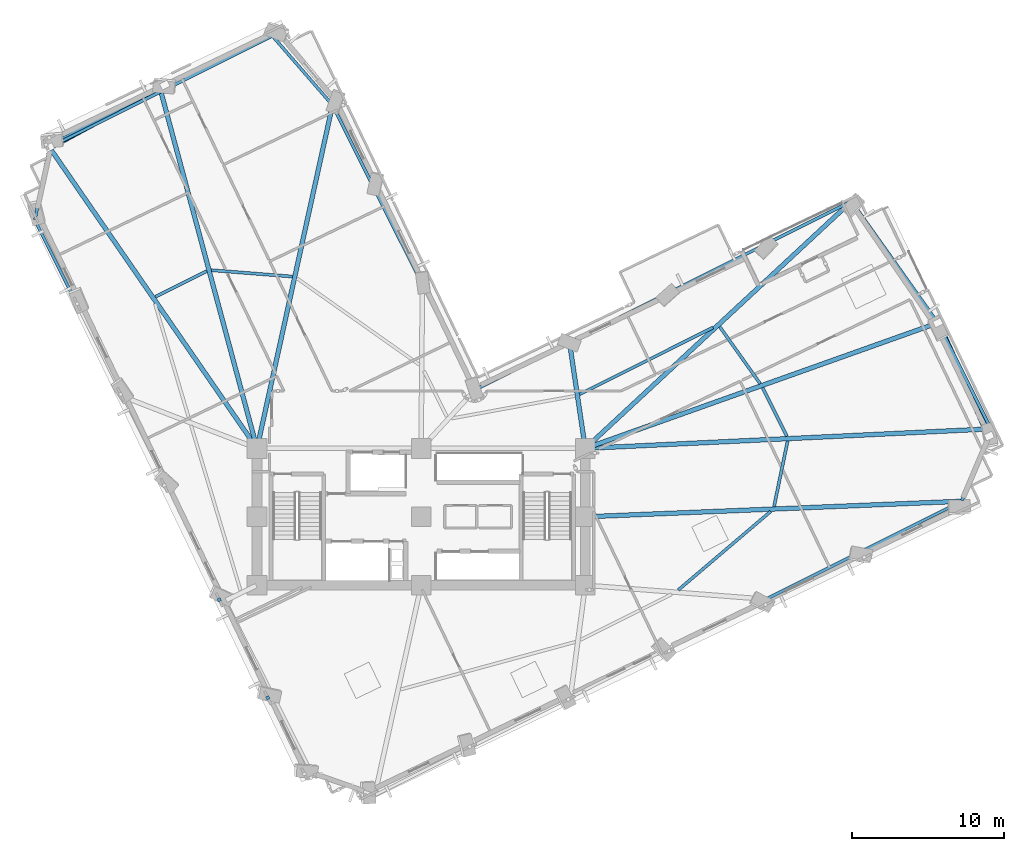
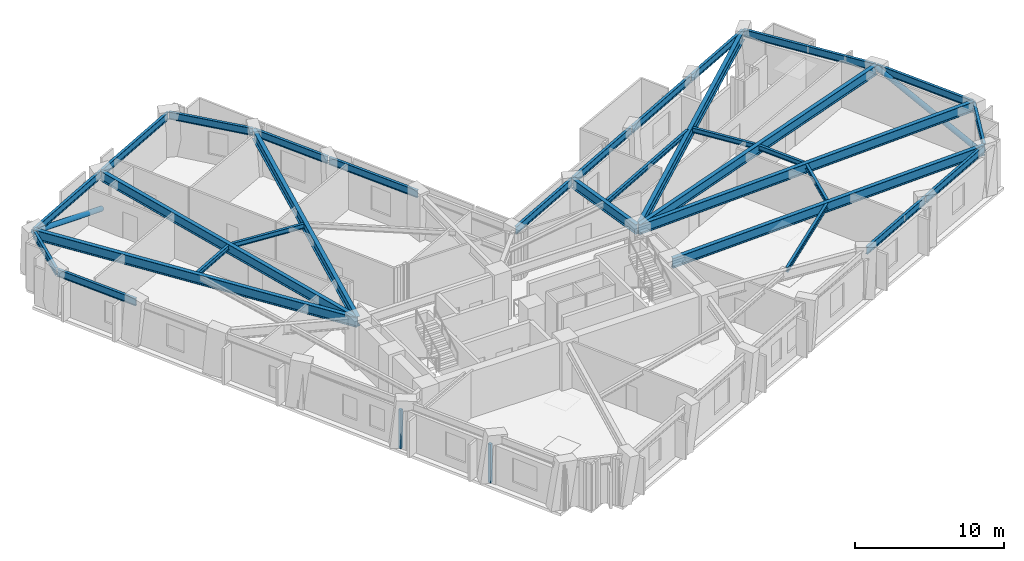
# One storey, part 2 of 16: 31 beams, 2 members, 2 plates.
"""IFC4 building model written with IfcOpenShell, lengths in metres."""

import ifcopenshell
import ifcopenshell.guid

model = None  # the IFC model being written
_history = None  # IfcOwnerHistory: only IFC2X3 demands one
_inside = {}  # id of a spatial element -> (the spatial element, [elements in it])
_under = {}  # id of a project, library or spatial element -> (it, [spatial elements below it])
_declared = {}  # id of a project -> (the project, [libraries it declares])
_typed = {}  # id of a type object -> (the type object, [elements of that type])
_made_of = {}  # id of a material, layer set ... -> (it, [elements and type objects made of it])


def new_model(schema):
    """Start an empty IFC model of exactly this schema.

    Asked for "IFC4X3", IfcOpenShell would pick the latest addendum, in which some entities
    have other attributes; the version numbers below select the first issue.
    IFC2X3 requires an IfcOwnerHistory on every rooted entity: one is made here for all.
    """
    global model, _history
    if schema == "IFC4X3":
        model = ifcopenshell.file(schema_version=(4, 3, 0, 0))
    else:
        model = ifcopenshell.file(schema=schema)
    _inside.clear()
    _under.clear()
    _declared.clear()
    _typed.clear()
    _made_of.clear()
    _history = None
    if model.schema == "IFC2X3":
        org = make("IfcOrganization", Name="unknown")
        user = make(
            "IfcPersonAndOrganization",
            ThePerson=make("IfcPerson", FamilyName="unknown"),
            TheOrganization=org,
        )
        app = make(
            "IfcApplication",
            ApplicationDeveloper=org,
            Version="unknown",
            ApplicationFullName="unknown",
            ApplicationIdentifier="unknown",
        )
        _history = make(
            "IfcOwnerHistory",
            OwningUser=user,
            OwningApplication=app,
            ChangeAction="ADDED",
            CreationDate=0,
        )
    return model


def make(cls, **values):
    """One entity of the class cls with the attributes given. An attribute that is None is left unset."""
    return model.create_entity(
        cls, **{name: value for name, value in values.items() if value is not None}
    )


def rooted(cls, **values):
    """An entity with a GlobalId (a new one), such as an element, a storey or a relation."""
    return make(cls, GlobalId=ifcopenshell.guid.new(), OwnerHistory=_history, **values)


def si_unit(unit_type, name, prefix=None):
    """IfcSIUnit, for example si_unit("LENGTHUNIT", "METRE", prefix="MILLI")."""
    return make("IfcSIUnit", UnitType=unit_type, Prefix=prefix, Name=name)


def assignment(units):
    """IfcUnitAssignment: the units of a project."""
    return None if units is None else make("IfcUnitAssignment", Units=units)


def point(xyz):
    """IfcCartesianPoint."""
    return None if xyz is None else make("IfcCartesianPoint", Coordinates=xyz)


def direction(xyz):
    """IfcDirection."""
    return None if xyz is None else make("IfcDirection", DirectionRatios=xyz)


def frame(location, z_axis=None, x_axis=None):
    """IfcAxis2Placement3D, a coordinate frame: its origin and axes. An axis left out is left unset."""
    return make(
        "IfcAxis2Placement3D",
        Location=point(location),
        Axis=direction(z_axis),
        RefDirection=direction(x_axis),
    )


def frame_2d(location, x_axis=None):
    """IfcAxis2Placement2D, a coordinate frame in the plane: its origin and x axis."""
    return make(
        "IfcAxis2Placement2D", Location=point(location), RefDirection=direction(x_axis)
    )


def origin():
    """The frame at (0, 0, 0) with its axes left unset."""
    return frame((0.0, 0.0, 0.0))


def origin_2d():
    """The frame at (0, 0) in the plane with its x axis left unset."""
    return frame_2d((0.0, 0.0))


def place(relative_to, where):
    """IfcLocalPlacement: puts the frame where relative to a parent placement (None: the world)."""
    return make(
        "IfcLocalPlacement", PlacementRelTo=relative_to, RelativePlacement=where
    )


def context(
    kind, dimensions, precision=None, world=None, true_north=None, identifier=None
):
    """IfcGeometricRepresentationContext, for example the 3D "Model" context."""
    return make(
        "IfcGeometricRepresentationContext",
        ContextIdentifier=identifier,
        ContextType=kind,
        CoordinateSpaceDimension=dimensions,
        Precision=precision,
        WorldCoordinateSystem=world,
        TrueNorth=true_north,
    )


def subcontext(parent, identifier, kind, view, scale=None):
    """IfcGeometricRepresentationSubContext, for example "Body" below "Model"."""
    return make(
        "IfcGeometricRepresentationSubContext",
        ContextIdentifier=identifier,
        ContextType=kind,
        ParentContext=parent,
        TargetScale=scale,
        TargetView=view,
    )


def project(units=None, contexts=None):
    """IfcProject with its units and contexts."""
    return rooted(
        "IfcProject",
        Name="project",
        RepresentationContexts=contexts,
        UnitsInContext=assignment(units),
    )


def spatial(cls, under=None, at=None, **own):
    """A site, building, storey or space (cls), placed at a placement, below another one or the project."""
    s = rooted(cls, ObjectPlacement=at, **own)
    if under is not None:
        _under.setdefault(under.id(), (under, []))[1].append(s)
    return s


def profile(cls, at=None, kind="AREA", **sizes):
    """A parametric profile (cls). Its sizes go by their IFC names, for example OverallWidth=200.0."""
    return make(cls, ProfileType=kind, Position=at, **sizes)


def rectangle(**sizes):
    """IfcRectangleProfileDef."""
    return profile("IfcRectangleProfileDef", **sizes)


def hollow_circle(**sizes):
    """IfcCircleHollowProfileDef."""
    return profile("IfcCircleHollowProfileDef", **sizes)


def i_section(**sizes):
    """IfcIShapeProfileDef."""
    return profile("IfcIShapeProfileDef", **sizes)


def extrude(swept, where, along, depth):
    """IfcExtrudedAreaSolid: the profile swept, set in the frame where, extruded along a direction by depth."""
    return make(
        "IfcExtrudedAreaSolid",
        SweptArea=swept,
        Position=where,
        ExtrudedDirection=direction(along),
        Depth=depth,
    )


def shape(context_of_items, identifier, shape_type, items):
    """IfcShapeRepresentation: the items that make up one representation, for example the "Body"."""
    return make(
        "IfcShapeRepresentation",
        ContextOfItems=context_of_items,
        RepresentationIdentifier=identifier,
        RepresentationType=shape_type,
        Items=items,
    )


def material(Name=None, Category=None):
    """IfcMaterial."""
    return make("IfcMaterial", Name=Name, Category=Category)


def layer(
    of_material, thickness, ventilated=None, Name=None, Category=None, Priority=None
):
    """IfcMaterialLayer: one layer of a wall or slab, of a material (None: an air gap)."""
    return make(
        "IfcMaterialLayer",
        Material=of_material,
        LayerThickness=thickness,
        IsVentilated=ventilated,
        Name=Name,
        Category=Category,
        Priority=Priority,
    )


def layer_set(layers, Name=None):
    """IfcMaterialLayerSet."""
    return make("IfcMaterialLayerSet", MaterialLayers=layers, LayerSetName=Name)


def material_profile(
    of_material, cross_section, Name=None, Category=None, Priority=None
):
    """IfcMaterialProfile: a cross section and its material."""
    return make(
        "IfcMaterialProfile",
        Name=Name,
        Material=of_material,
        Profile=cross_section,
        Priority=Priority,
        Category=Category,
    )


def profile_set(profiles, Name=None, composite=None):
    """IfcMaterialProfileSet."""
    return make(
        "IfcMaterialProfileSet",
        Name=Name,
        MaterialProfiles=profiles,
        CompositeProfile=composite,
    )


def made_of(thing, what):
    """Note that an element or type object is made of a material, layer set ...; save() writes the relation."""
    if what is not None:
        _made_of.setdefault(what.id(), (what, []))[1].append(thing)
    return thing


def type_object(cls, material=None, **own):
    """A type object (cls), such as IfcWallType, which elements share."""
    return made_of(rooted(cls, **own), material)


def element(
    cls,
    number,
    at=None,
    inside=None,
    cuts=None,
    type_object=None,
    material=None,
    context=None,
    identifier="Body",
    shape_type=None,
    held_by="IfcProductDefinitionShape",
    body=None,
    shapes=None,
    **own,
):
    """One element of the class cls, such as IfcWall. Its Tag is "e" and its number.

    at: its placement. inside: the storey or other place that contains it. cuts: it is an
    opening in that element (IfcRelVoidsElement). A single representation is given by context,
    identifier, shape_type and body (its items); several are given by shapes. held_by: the class
    of the entity that holds the representations. save() writes the other relations.
    """
    e = rooted(cls, Tag="e%d" % number, ObjectPlacement=at, **own)
    if body is not None:
        shapes = [shape(context, identifier, shape_type, body)]
    if shapes is not None:
        e.Representation = make(held_by, Representations=shapes)
    if inside is not None:
        _inside.setdefault(inside.id(), (inside, []))[1].append(e)
    if cuts is not None:
        rooted(
            "IfcRelVoidsElement", RelatingBuildingElement=cuts, RelatedOpeningElement=e
        )
    if type_object is not None:
        _typed.setdefault(type_object.id(), (type_object, []))[1].append(e)
    return made_of(e, material)


def aggregate(whole, parts):
    """IfcRelAggregates: a whole, such as a stair, and the parts it consists of."""
    return rooted("IfcRelAggregates", RelatingObject=whole, RelatedObjects=parts)


def save(model, path):
    """Write the relations noted so far, then the file.

    IfcRelAggregates (storeys below a building ...), IfcRelContainedInSpatialStructure (elements
    in a storey), IfcRelDefinesByType, IfcRelAssociatesMaterial and IfcRelDeclares: one each for
    every whole, place, type object, material and project.
    """
    for whole, parts in _under.values():
        aggregate(whole, parts)
    for where, things in _inside.values():
        rooted(
            "IfcRelContainedInSpatialStructure",
            RelatedElements=things,
            RelatingStructure=where,
        )
    for kind, things in _typed.values():
        rooted("IfcRelDefinesByType", RelatedObjects=things, RelatingType=kind)
    for what, things in _made_of.values():
        rooted("IfcRelAssociatesMaterial", RelatedObjects=things, RelatingMaterial=what)
    for by, libraries in _declared.values():
        rooted("IfcRelDeclares", RelatingContext=by, RelatedDefinitions=libraries)
    model.write(path)


model = new_model("IFC4")

# Units and contexts
model_context = context("Model", 3, precision=1e-05, world=origin(), true_north=direction((0.0, 1.0)))
body_context = subcontext(model_context, "Body", "Model", "MODEL_VIEW")
ifc_project = project(units=[si_unit("LENGTHUNIT", "METRE"), si_unit("AREAUNIT", "SQUARE_METRE"), si_unit("VOLUMEUNIT", "CUBIC_METRE"), si_unit("PLANEANGLEUNIT", "RADIAN"), si_unit("MASSUNIT", "GRAM", prefix="KILO")], contexts=[model_context])

# Site, building, storey
site_placement = place(None, origin())
site = spatial("IfcSite", under=ifc_project, at=site_placement, CompositionType="ELEMENT")
building_placement = place(site_placement, origin())
building = spatial("IfcBuilding", under=site, at=building_placement, Name="Gaonmaruhae Medical Tower", CompositionType="ELEMENT")
storey_placement = place(building_placement, frame((0.0, 0.0, 132.39990234375)))
storey = spatial("IfcBuildingStorey", under=building, at=storey_placement, Name="L31", CompositionType="ELEMENT", Elevation=132.39990234375)

# Beams
ifc_material_1 = material(Name="Steel SM355", Category="steel")
ifc_material_profile_1 = material_profile(ifc_material_1, i_section(OverallWidth=0.199951171875, OverallDepth=0.39990234375, WebThickness=0.008056640625, FlangeThickness=0.012939453125, FilletRadius=0.012939453125, at=origin_2d()), Name="H-400x200x8x13")
ifc_profile_set_1 = profile_set([ifc_material_profile_1], Name="Steel SM355")
beam_type_1 = type_object("IfcBeamType", Name="FJ-01 Lower Zone Ward Floor Joist (H-400x200x8x13)", PredefinedType="JOIST", material=ifc_profile_set_1)
beam_1_placement = place(storey_placement, frame((41.715087890625, 7.479248046875, 3.580078125), z_axis=(0.761830636508, 0.647776258656, 0.0), x_axis=(-0.647776258656, 0.761830636508, 0.0)))
element("IfcBeam", 1, at=beam_1_placement, inside=storey, type_object=beam_type_1, Name="L31 Secondary Floor Joist FJ03", PredefinedType="JOIST", context=body_context, shape_type="SweptSolid", body=[
    extrude(i_section(OverallWidth=0.199951171875, OverallDepth=0.39990234375, WebThickness=0.008056640625, FlangeThickness=0.012939453125, FilletRadius=0.012939453125, at=origin_2d()), origin(), (0.0, 0.0, 1.0), 7.982177734375),
])
beam_2_placement = place(storey_placement, frame((48.01904296875, 12.96875, 3.580078125), z_axis=(0.202948005103, 0.979189515479, 0.0), x_axis=(-0.979189515479, 0.202948005103, 0.0)))
element("IfcBeam", 2, at=beam_2_placement, inside=storey, type_object=beam_type_1, Name="L31 Secondary Floor Joist FJ04", PredefinedType="JOIST", context=body_context, shape_type="SweptSolid", body=[
    extrude(i_section(OverallWidth=0.199951171875, OverallDepth=0.39990234375, WebThickness=0.008056640625, FlangeThickness=0.012939453125, FilletRadius=0.012939453125, at=origin_2d()), origin(), (0.0, 0.0, 1.0), 4.408935546875),
])
beam_3_placement = place(storey_placement, frame((48.870361328125, 17.595458984375, 3.580078125), z_axis=(-0.447760144234, 0.894153707835, 0.0), x_axis=(-0.894153707835, -0.447760144234, 0.0)))
element("IfcBeam", 3, at=beam_3_placement, inside=storey, type_object=beam_type_1, Name="L31 Secondary Floor Joist FJ05", PredefinedType="JOIST", context=body_context, shape_type="SweptSolid", body=[
    extrude(i_section(OverallWidth=0.199951171875, OverallDepth=0.39990234375, WebThickness=0.008056640625, FlangeThickness=0.012939453125, FilletRadius=0.012939453125, at=origin_2d()), origin(), (0.0, 0.0, 1.0), 3.572998046875),
])
beam_4_placement = place(storey_placement, frame((47.1064453125, 21.062744140625, 3.580078125), z_axis=(-0.579172704192, 0.81520486917, 0.0), x_axis=(-0.81520486917, -0.579172704192, 0.0)))
element("IfcBeam", 4, at=beam_4_placement, inside=storey, type_object=beam_type_1, Name="L31 Secondary Floor Joist FJ06", PredefinedType="JOIST", context=body_context, shape_type="SweptSolid", body=[
    extrude(i_section(OverallWidth=0.199951171875, OverallDepth=0.39990234375, WebThickness=0.008056640625, FlangeThickness=0.012939453125, FilletRadius=0.012939453125, at=origin_2d()), origin(), (0.0, 0.0, 1.0), 4.58837890625),
])
beam_5_placement = place(storey_placement, frame((43.99951171875, 24.752197265625, 3.580078125), z_axis=(-0.894148295861, -0.447770951501, 0.0), x_axis=(0.447770951501, -0.894148295861, 0.0)))
element("IfcBeam", 5, at=beam_5_placement, inside=storey, type_object=beam_type_1, Name="L31 Secondary Floor Joist FJ07", PredefinedType="JOIST", context=body_context, shape_type="SweptSolid", body=[
    extrude(i_section(OverallWidth=0.199951171875, OverallDepth=0.39990234375, WebThickness=0.008056640625, FlangeThickness=0.012939453125, FilletRadius=0.012939453125, at=origin_2d()), origin(), (0.0, 0.0, 1.0), 9.810302734375),
])
beam_6_placement = place(storey_placement, frame((16.32666015625, 28.108642578125, 3.580078125), z_axis=(-0.996926209143, 0.078346241287, 0.0), x_axis=(-0.078346241287, -0.996926209143, 0.0)))
element("IfcBeam", 6, at=beam_6_placement, inside=storey, type_object=beam_type_1, Name="L31 Secondary Floor Joist FJ11", PredefinedType="JOIST", context=body_context, shape_type="SweptSolid", body=[
    extrude(i_section(OverallWidth=0.199951171875, OverallDepth=0.39990234375, WebThickness=0.008056640625, FlangeThickness=0.012939453125, FilletRadius=0.012939453125, at=origin_2d()), origin(), (0.0, 0.0, 1.0), 5.341064453125),
])
beam_7_placement = place(storey_placement, frame((10.695068359375, 28.46875, 3.580078125), z_axis=(-0.894156011734, -0.447755543438, 0.0), x_axis=(0.447755543438, -0.894156011734, 0.0)))
element("IfcBeam", 7, at=beam_7_placement, inside=storey, type_object=beam_type_1, Name="L31 Secondary Floor Joist FJ12", PredefinedType="JOIST", context=body_context, shape_type="SweptSolid", body=[
    extrude(i_section(OverallWidth=0.199951171875, OverallDepth=0.39990234375, WebThickness=0.008056640625, FlangeThickness=0.012939453125, FilletRadius=0.012939453125, at=origin_2d()), origin(), (0.0, 0.0, 1.0), 3.783447265625),
])

# Members
ifc_material_2 = material(Name="Steel SM420", Category="steel")
ifc_material_profile_2 = material_profile(ifc_material_2, hollow_circle(Radius=0.203125, WallThickness=0.0126953125, at=origin_2d()), Name="CHS-406.4x12.7")
ifc_profile_set_2 = profile_set([ifc_material_profile_2], Name="Steel SM420")
member_type = type_object("IfcMemberType", Name="PB-02 Perimeter Solid-Bay Tube Brace Mid (CHS-406.4x12.7)", PredefinedType="BRACE", material=ifc_profile_set_2)
member_1_placement = place(storey_placement, frame((62.177490234375, 17.612060546875, 0.25), z_axis=(-0.383240994704, 0.845329952316, 0.372214470024), x_axis=(-0.910771871927, -0.412909914275, 0.0)))
element("IfcMember", 8, at=member_1_placement, inside=storey, type_object=member_type, Name="L31 Perimeter Tube Solid-Bay Brace E01-E02", PredefinedType="BRACE", context=body_context, shape_type="SweptSolid", body=[
    extrude(hollow_circle(Radius=0.203125, WallThickness=0.0126953125, at=origin_2d()), origin(), (0.0, 0.0, 1.0), 8.812255859375),
])
member_2_placement = place(storey_placement, frame((7.934814453125, 40.707763671875, 0.25), z_axis=(-0.822501995039, -0.444100295797, 0.355338423801), x_axis=(0.475106852385, -0.879928110028, 0.0)))
element("IfcMember", 9, at=member_2_placement, inside=storey, type_object=member_type, Name="L31 Perimeter Tube Solid-Bay Brace N02-N03", PredefinedType="BRACE", context=body_context, shape_type="SweptSolid", body=[
    extrude(hollow_circle(Radius=0.203125, WallThickness=0.0126953125, at=origin_2d()), origin(), (0.0, 0.0, 1.0), 9.230712890625),
])

# Beams
ifc_material_profile_3 = material_profile(ifc_material_2, i_section(OverallWidth=0.300048828125, OverallDepth=0.800048828125, WebThickness=0.013916015625, FlangeThickness=0.02587890625, FilletRadius=0.01806640625, at=origin_2d()), Name="H-800x300x14x26")
ifc_profile_set_3 = profile_set([ifc_material_profile_3], Name="Steel SM420")
beam_type_2 = type_object("IfcBeamType", Name="PG-02 Zone 2 Radial Floor Girder (H-800x300x14x26)", PredefinedType="BEAM", material=ifc_profile_set_3)
beam_8_placement = place(storey_placement, frame((35.64990234375, 12.302001953125, 3.380126953125), z_axis=(0.999148561571, 0.041257143751, 0.0), x_axis=(-0.041257143751, 0.999148561571, 0.0)))
element("IfcBeam", 10, at=beam_8_placement, inside=storey, type_object=beam_type_2, Name="L31 Radial Primary Girder S07", PredefinedType="BEAM", context=body_context, shape_type="SweptSolid", body=[
    extrude(i_section(OverallWidth=0.300048828125, OverallDepth=0.800048828125, WebThickness=0.013916015625, FlangeThickness=0.02587890625, FilletRadius=0.01806640625, at=origin_2d()), origin(), (0.0, 0.0, 1.0), 24.69384765625),
])
beam_9_placement = place(storey_placement, frame((35.64990234375, 16.802490234375, 3.380126953125), z_axis=(0.998840040714, 0.048151563496, 0.0), x_axis=(-0.048151563496, 0.998840040714, 0.0)))
element("IfcBeam", 11, at=beam_9_placement, inside=storey, type_object=beam_type_2, Name="L31 Radial Primary Girder E01", PredefinedType="BEAM", context=body_context, shape_type="SweptSolid", body=[
    extrude(i_section(OverallWidth=0.300048828125, OverallDepth=0.800048828125, WebThickness=0.013916015625, FlangeThickness=0.02587890625, FilletRadius=0.01806640625, at=origin_2d()), origin(), (0.0, 0.0, 1.0), 26.623779296875),
])
beam_10_placement = place(storey_placement, frame((35.647216796875, 16.81689453125, 3.380126953125), z_axis=(0.942055880913, 0.335455984052, 0.0), x_axis=(-0.335455984052, 0.942055880913, 0.0)))
element("IfcBeam", 12, at=beam_10_placement, inside=storey, type_object=beam_type_2, Name="L31 Radial Primary Girder E02", PredefinedType="BEAM", context=body_context, shape_type="SweptSolid", body=[
    extrude(i_section(OverallWidth=0.300048828125, OverallDepth=0.800048828125, WebThickness=0.013916015625, FlangeThickness=0.02587890625, FilletRadius=0.01806640625, at=origin_2d()), origin(), (0.0, 0.0, 1.0), 24.527099609375),
])
beam_11_placement = place(storey_placement, frame((35.63671875, 16.833984375, 3.360107421875), z_axis=(0.73282344789, 0.680418837352, 0.0), x_axis=(-0.680418837352, 0.73282344789, 0.0)))
element("IfcBeam", 13, at=beam_11_placement, inside=storey, type_object=beam_type_2, Name="L31 Radial Primary Girder E03", PredefinedType="BEAM", context=body_context, shape_type="SweptSolid", body=[
    extrude(i_section(OverallWidth=0.300048828125, OverallDepth=0.800048828125, WebThickness=0.013916015625, FlangeThickness=0.02587890625, FilletRadius=0.01806640625, at=origin_2d()), origin(), (0.0, 0.0, 1.0), 23.801513671875),
])
beam_12_placement = place(storey_placement, frame((35.592529296875, 16.849365234375, 3.380126953125), z_axis=(-0.147208189868, 0.989105529676, 0.0), x_axis=(-0.989105529676, -0.147208189868, 0.0)))
element("IfcBeam", 14, at=beam_12_placement, inside=storey, type_object=beam_type_2, Name="L31 Radial Primary Girder EN03", PredefinedType="BEAM", context=body_context, shape_type="SweptSolid", body=[
    extrude(i_section(OverallWidth=0.300048828125, OverallDepth=0.800048828125, WebThickness=0.013916015625, FlangeThickness=0.02587890625, FilletRadius=0.01806640625, at=origin_2d()), origin(), (0.0, 0.0, 1.0), 6.948974609375),
])
beam_13_placement = place(storey_placement, frame((14.0107421875, 16.848876953125, 3.380126953125), z_axis=(0.214734589066, 0.976672440616, 0.0), x_axis=(-0.976672440616, 0.214734589066, 0.0)))
element("IfcBeam", 15, at=beam_13_placement, inside=storey, type_object=beam_type_2, Name="L31 Radial Primary Girder NE03", PredefinedType="BEAM", context=body_context, shape_type="SweptSolid", body=[
    extrude(i_section(OverallWidth=0.300048828125, OverallDepth=0.800048828125, WebThickness=0.013916015625, FlangeThickness=0.02587890625, FilletRadius=0.01806640625, at=origin_2d()), origin(), (0.0, 0.0, 1.0), 23.0322265625),
])
beam_14_placement = place(storey_placement, frame((13.987060546875, 16.848388671875, 3.380126953125), z_axis=(-0.260127122683, 0.965574378308, 0.0), x_axis=(-0.965574378308, -0.260127122683, 0.0)))
element("IfcBeam", 16, at=beam_14_placement, inside=storey, type_object=beam_type_2, Name="L31 Radial Primary Girder N02", PredefinedType="BEAM", context=body_context, shape_type="SweptSolid", body=[
    extrude(i_section(OverallWidth=0.300048828125, OverallDepth=0.800048828125, WebThickness=0.013916015625, FlangeThickness=0.02587890625, FilletRadius=0.01806640625, at=origin_2d()), origin(), (0.0, 0.0, 1.0), 24.21728515625),
])
beam_15_placement = place(storey_placement, frame((13.9716796875, 16.841064453125, 3.380126953125), z_axis=(-0.567633185613, 0.823281584023, 0.0), x_axis=(-0.823281584023, -0.567633185613, 0.0)))
element("IfcBeam", 17, at=beam_15_placement, inside=storey, type_object=beam_type_2, Name="L31 Radial Primary Girder N03", PredefinedType="BEAM", context=body_context, shape_type="SweptSolid", body=[
    extrude(i_section(OverallWidth=0.300048828125, OverallDepth=0.800048828125, WebThickness=0.013916015625, FlangeThickness=0.02587890625, FilletRadius=0.01806640625, at=origin_2d()), origin(), (0.0, 0.0, 1.0), 23.960693359375),
])
ifc_material_profile_4 = material_profile(ifc_material_1, i_section(OverallWidth=0.199951171875, OverallDepth=0.60009765625, WebThickness=0.010986328125, FlangeThickness=0.01708984375, FilletRadius=0.012939453125, at=origin_2d()), Name="H-600x200x11x17")
ifc_profile_set_4 = profile_set([ifc_material_profile_4], Name="Steel SM355")
beam_type_3 = type_object("IfcBeamType", Name="SP-01 Lower Perimeter Spandrel Beam (H-600x200x11x17)", PredefinedType="SPANDREL", material=ifc_profile_set_4)
beam_16_placement = place(storey_placement, frame((47.53271484375, 6.89306640625, 3.47998046875), z_axis=(0.894159575256, 0.447748427108, 0.0), x_axis=(-0.447748427108, 0.894159575256, 0.0)))
element("IfcBeam", 18, at=beam_16_placement, inside=storey, type_object=beam_type_3, Name="L31 Perimeter Spandrel Beam S05-S06", PredefinedType="SPANDREL", context=body_context, shape_type="SweptSolid", body=[
    extrude(i_section(OverallWidth=0.199951171875, OverallDepth=0.60009765625, WebThickness=0.010986328125, FlangeThickness=0.01708984375, FilletRadius=0.012939453125, at=origin_2d()), origin(), (0.0, 0.0, 1.0), 7.1201171875),
])
beam_17_placement = place(storey_placement, frame((53.970703125, 10.116943359375, 3.47998046875), z_axis=(0.894152700687, 0.447762155452, 0.0), x_axis=(-0.447762155452, 0.894152700687, 0.0)))
element("IfcBeam", 19, at=beam_17_placement, inside=storey, type_object=beam_type_3, Name="L31 Perimeter Spandrel Beam S06-S07", PredefinedType="SPANDREL", context=body_context, shape_type="SweptSolid", body=[
    extrude(i_section(OverallWidth=0.199951171875, OverallDepth=0.60009765625, WebThickness=0.010986328125, FlangeThickness=0.01708984375, FilletRadius=0.012939453125, at=origin_2d()), origin(), (0.0, 0.0, 1.0), 7.119873046875),
])
beam_18_placement = place(storey_placement, frame((60.3876953125, 13.360107421875, 3.47998046875), z_axis=(0.373820289289, 0.927501154347, 0.0), x_axis=(-0.927501154347, 0.373820289289, 0.0)))
element("IfcBeam", 20, at=beam_18_placement, inside=storey, type_object=beam_type_3, Name="L31 Perimeter Spandrel Beam S07-E01", PredefinedType="SPANDREL", context=body_context, shape_type="SweptSolid", body=[
    extrude(i_section(OverallWidth=0.199951171875, OverallDepth=0.60009765625, WebThickness=0.010986328125, FlangeThickness=0.01708984375, FilletRadius=0.012939453125, at=origin_2d()), origin(), (0.0, 0.0, 1.0), 5.05615234375),
])
beam_19_placement = place(storey_placement, frame((62.27490234375, 18.122802734375, 3.47998046875), z_axis=(-0.447744814304, 0.894161384351, 0.0), x_axis=(-0.894161384351, -0.447744814304, 0.0)))
element("IfcBeam", 21, at=beam_19_placement, inside=storey, type_object=beam_type_3, Name="L31 Perimeter Spandrel Beam E01-E02", PredefinedType="SPANDREL", context=body_context, shape_type="SweptSolid", body=[
    extrude(i_section(OverallWidth=0.199951171875, OverallDepth=0.60009765625, WebThickness=0.010986328125, FlangeThickness=0.01708984375, FilletRadius=0.012939453125, at=origin_2d()), origin(), (0.0, 0.0, 1.0), 7.719970703125),
])
beam_20_placement = place(storey_placement, frame((58.777099609375, 25.093994140625, 3.47998046875), z_axis=(-0.579155820571, 0.815216864091, 0.0), x_axis=(-0.815216864091, -0.579155820571, 0.0)))
element("IfcBeam", 22, at=beam_20_placement, inside=storey, type_object=beam_type_3, Name="L31 Perimeter Spandrel Beam E02-E03", PredefinedType="SPANDREL", context=body_context, shape_type="SweptSolid", body=[
    extrude(i_section(OverallWidth=0.199951171875, OverallDepth=0.60009765625, WebThickness=0.010986328125, FlangeThickness=0.01708984375, FilletRadius=0.012939453125, at=origin_2d()), origin(), (0.0, 0.0, 1.0), 9.735107421875),
])
beam_21_placement = place(storey_placement, frame((53.080078125, 33.045166015625, 3.460205078125), z_axis=(-0.894146669674, -0.4477741988, 0.0), x_axis=(0.4477741988, -0.894146669674, 0.0)))
element("IfcBeam", 23, at=beam_21_placement, inside=storey, type_object=beam_type_3, Name="L31 Perimeter Spandrel Beam E03-EN01", PredefinedType="SPANDREL", context=body_context, shape_type="SweptSolid", body=[
    extrude(i_section(OverallWidth=0.199951171875, OverallDepth=0.60009765625, WebThickness=0.010986328125, FlangeThickness=0.01708984375, FilletRadius=0.012939453125, at=origin_2d()), origin(), (0.0, 0.0, 1.0), 6.270263671875),
])
beam_22_placement = place(storey_placement, frame((47.402099609375, 30.201904296875, 3.460205078125), z_axis=(-0.894138971765, -0.44778957019, 0.0), x_axis=(0.44778957019, -0.894138971765, 0.0)))
element("IfcBeam", 24, at=beam_22_placement, inside=storey, type_object=beam_type_3, Name="L31 Perimeter Spandrel Beam EN01-EN02", PredefinedType="SPANDREL", context=body_context, shape_type="SweptSolid", body=[
    extrude(i_section(OverallWidth=0.199951171875, OverallDepth=0.60009765625, WebThickness=0.010986328125, FlangeThickness=0.01708984375, FilletRadius=0.012939453125, at=origin_2d()), origin(), (0.0, 0.0, 1.0), 7.119873046875),
])
beam_23_placement = place(storey_placement, frame((40.96435546875, 26.97802734375, 3.47998046875), z_axis=(-0.894145847071, -0.447775841427, 0.0), x_axis=(0.447775841427, -0.894145847071, 0.0)))
element("IfcBeam", 25, at=beam_23_placement, inside=storey, type_object=beam_type_3, Name="L31 Perimeter Spandrel Beam EN02-EN03", PredefinedType="SPANDREL", context=body_context, shape_type="SweptSolid", body=[
    extrude(i_section(OverallWidth=0.199951171875, OverallDepth=0.60009765625, WebThickness=0.010986328125, FlangeThickness=0.01708984375, FilletRadius=0.012939453125, at=origin_2d()), origin(), (0.0, 0.0, 1.0), 7.1201171875),
])
beam_24_placement = place(storey_placement, frame((34.5263671875, 23.754150390625, 3.47998046875), z_axis=(-0.894149829548, -0.447767888888, 0.0), x_axis=(0.447767888888, -0.894149829548, 0.0)))
element("IfcBeam", 26, at=beam_24_placement, inside=storey, type_object=beam_type_3, Name="L31 Perimeter Spandrel Beam EN03-KN01", PredefinedType="SPANDREL", context=body_context, shape_type="SweptSolid", body=[
    extrude(i_section(OverallWidth=0.199951171875, OverallDepth=0.60009765625, WebThickness=0.010986328125, FlangeThickness=0.01708984375, FilletRadius=0.012939453125, at=origin_2d()), origin(), (0.0, 0.0, 1.0), 6.8701171875),
])
beam_25_placement = place(storey_placement, frame((24.859619140625, 27.62548828125, 3.47998046875), z_axis=(-0.447748427108, 0.894159575256, 0.0), x_axis=(-0.894159575256, -0.447748427108, 0.0)))
element("IfcBeam", 27, at=beam_25_placement, inside=storey, type_object=beam_type_3, Name="L31 Perimeter Spandrel Beam NE01-NE02", PredefinedType="SPANDREL", context=body_context, shape_type="SweptSolid", body=[
    extrude(i_section(OverallWidth=0.199951171875, OverallDepth=0.60009765625, WebThickness=0.010986328125, FlangeThickness=0.01708984375, FilletRadius=0.012939453125, at=origin_2d()), origin(), (0.0, 0.0, 1.0), 7.1201171875),
])
beam_26_placement = place(storey_placement, frame((21.6357421875, 34.0634765625, 3.47998046875), z_axis=(-0.447741388093, 0.894163099993, 0.0), x_axis=(-0.894163099993, -0.447741388093, 0.0)))
element("IfcBeam", 28, at=beam_26_placement, inside=storey, type_object=beam_type_3, Name="L31 Perimeter Spandrel Beam NE02-NE03", PredefinedType="SPANDREL", context=body_context, shape_type="SweptSolid", body=[
    extrude(i_section(OverallWidth=0.199951171875, OverallDepth=0.60009765625, WebThickness=0.010986328125, FlangeThickness=0.01708984375, FilletRadius=0.012939453125, at=origin_2d()), origin(), (0.0, 0.0, 1.0), 5.919921875),
])
beam_27_placement = place(storey_placement, frame((18.94091796875, 39.4228515625, 3.47998046875), z_axis=(-0.655817555937, 0.754919421743, 0.0), x_axis=(-0.754919421743, -0.655817555937, 0.0)))
element("IfcBeam", 29, at=beam_27_placement, inside=storey, type_object=beam_type_3, Name="L31 Perimeter Spandrel Beam NE03-N01", PredefinedType="SPANDREL", context=body_context, shape_type="SweptSolid", body=[
    extrude(i_section(OverallWidth=0.199951171875, OverallDepth=0.60009765625, WebThickness=0.010986328125, FlangeThickness=0.01708984375, FilletRadius=0.012939453125, at=origin_2d()), origin(), (0.0, 0.0, 1.0), 5.959228515625),
])
for number, where, z_axis, x_axis, name in (
    (30, (14.970703125, 43.933837890625, 3.47998046875), (-0.894156426106, -0.447754715948, 0.0), (0.447754715948, -0.894156426106, 0.0), "L31 Perimeter Spandrel Beam N01-N02"),
    (31, (7.638671875, 40.26220703125, 3.47998046875), (-0.894156426106, -0.447754715948, 0.0), (0.447754715948, -0.894156426106, 0.0), "L31 Perimeter Spandrel Beam N02-N03"),
):
    element("IfcBeam", number, at=place(storey_placement, frame(where, z_axis=z_axis, x_axis=x_axis)), inside=storey, type_object=beam_type_3, Name=name, PredefinedType="SPANDREL", context=body_context, shape_type="SweptSolid", body=[
        extrude(i_section(OverallWidth=0.199951171875, OverallDepth=0.60009765625, WebThickness=0.010986328125, FlangeThickness=0.01708984375, FilletRadius=0.012939453125, at=origin_2d()), origin(), (0.0, 0.0, 1.0), 8.119873046875),
    ])
beam_28_placement = place(storey_placement, frame((0.334716796875, 36.5693359375, 3.47998046875), z_axis=(-0.196399738078, -0.980523912448, 0.0), x_axis=(0.980523912448, -0.196399738078, 0.0)))
element("IfcBeam", 32, at=beam_28_placement, inside=storey, type_object=beam_type_3, Name="L31 Perimeter Spandrel Beam N03-W01", PredefinedType="SPANDREL", context=body_context, shape_type="SweptSolid", body=[
    extrude(i_section(OverallWidth=0.199951171875, OverallDepth=0.60009765625, WebThickness=0.010986328125, FlangeThickness=0.01708984375, FilletRadius=0.012939453125, at=origin_2d()), origin(), (0.0, 0.0, 1.0), 4.80078125),
])
beam_29_placement = place(storey_placement, frame((-0.59814453125, 31.786865234375, 3.47998046875), z_axis=(0.447769792762, -0.894148876133, 0.0), x_axis=(0.894148876133, 0.447769792762, 0.0)))
element("IfcBeam", 33, at=beam_29_placement, inside=storey, type_object=beam_type_3, Name="L31 Perimeter Spandrel Beam W01-W02", PredefinedType="SPANDREL", context=body_context, shape_type="SweptSolid", body=[
    extrude(i_section(OverallWidth=0.199951171875, OverallDepth=0.60009765625, WebThickness=0.010986328125, FlangeThickness=0.01708984375, FilletRadius=0.012939453125, at=origin_2d()), origin(), (0.0, 0.0, 1.0), 6.31982421875),
])

# Plates
ifc_material_3 = material(Name="Anodised aluminium 6063-T6", Category="aluminium")
ifc_layer = layer(ifc_material_3, 0.011962890625)
ifc_layer_set = layer_set([ifc_layer], Name="Anodised aluminium 6063-T6")
plate_type = type_object("IfcPlateType", Name="PP-01 Interior Partition Corner Stiffener Plate", PredefinedType="SHEET", material=ifc_layer_set)
for number, where, z_axis, x_axis, name in (
    (34, (14.705078125, 0.388427734375, 0.0), (0.0, 0.0, 1.0), (-0.432668036702, 0.901553309581, 0.0), "L31 Partition Corner Stiffener Plate PLT-L31-JGP-PW011"),
    (35, (11.5166015625, 6.844482421875, 0.0), (0.0, 0.0, 1.0), (-0.432966979306, 0.901409781859, 0.0), "L31 Partition Corner Stiffener Plate PLT-L31-JGP-PW043"),
):
    element("IfcPlate", number, at=place(storey_placement, frame(where, z_axis=z_axis, x_axis=x_axis)), inside=storey, type_object=plate_type, Name=name, PredefinedType="SHEET", context=body_context, shape_type="SweptSolid", body=[
        extrude(rectangle(XDim=0.219970703125, YDim=0.219970703125, at=origin_2d()), origin(), (0.0, 0.0, 1.0), 3.1650390625),
    ])

save(model, "model.ifc")
